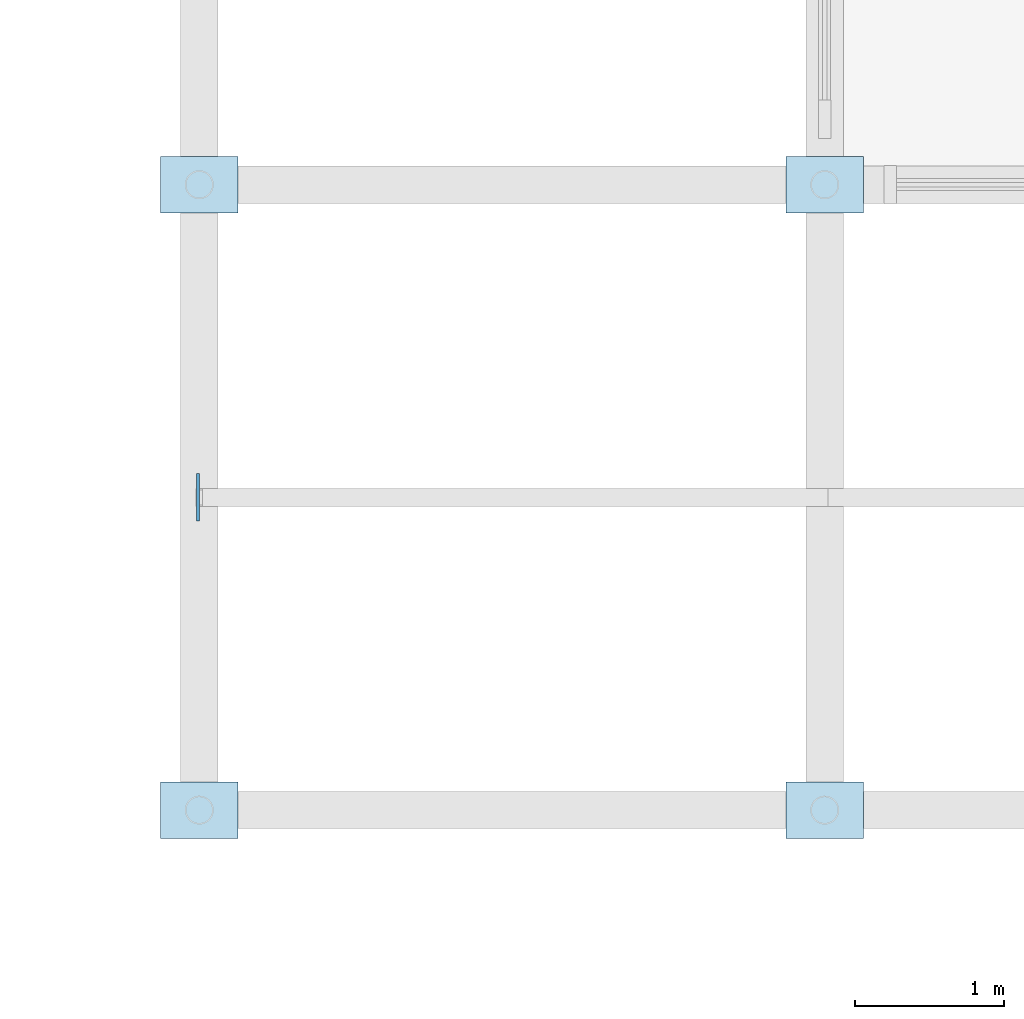
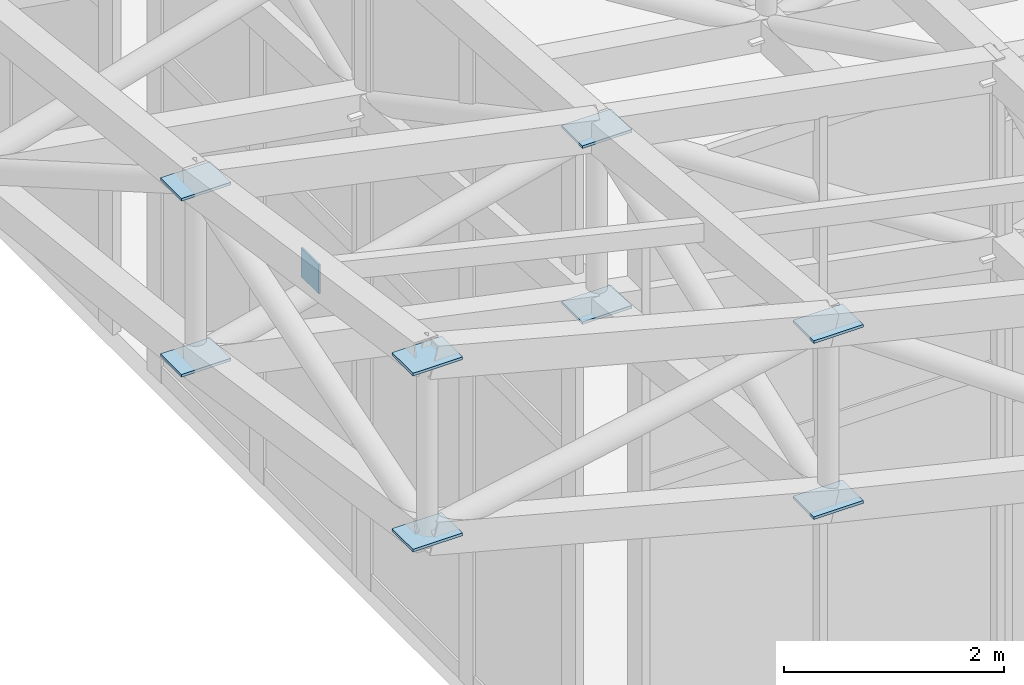
# One storey, part 75 of 111: 9 plates.
"""IFC4 building model written with IfcOpenShell, lengths in metres."""

from ifc_helpers import new_model, si_unit, direction, frame, origin, origin_2d, place, context, subcontext, project, spatial, rectangle, extrude, material, layer, layer_set, type_object, element, save


model = new_model("IFC4")

# Units and contexts
model_context = context("Model", 3, precision=1e-05, world=origin(), true_north=direction((0.0, 1.0)))
body_context = subcontext(model_context, "Body", "Model", "MODEL_VIEW")
ifc_project = project(units=[si_unit("LENGTHUNIT", "METRE"), si_unit("AREAUNIT", "SQUARE_METRE"), si_unit("VOLUMEUNIT", "CUBIC_METRE"), si_unit("PLANEANGLEUNIT", "RADIAN"), si_unit("MASSUNIT", "GRAM", prefix="KILO")], contexts=[model_context])

# Site, building, storey
site_placement = place(None, origin())
site = spatial("IfcSite", under=ifc_project, at=site_placement, CompositionType="ELEMENT")
building_placement = place(site_placement, origin())
building = spatial("IfcBuilding", under=site, at=building_placement, Name="Cumbredor Promenade Congress Hotel", CompositionType="ELEMENT")
storey_placement = place(building_placement, frame((0.0, 0.0, 15.1201171875)))
storey = spatial("IfcBuildingStorey", under=building, at=storey_placement, Name="L04", CompositionType="ELEMENT", Elevation=15.1201171875)

# Plates
ifc_material = material(Name="Steel ASTM A572 Grade 50", Category="steel")
ifc_layer_1 = layer(ifc_material, 0.030029296875, Name="Steel ASTM A572 Grade 50", Category="steel")
ifc_layer_set_1 = layer_set([ifc_layer_1], Name="Steel ASTM A572 Grade 50")
plate_type_1 = type_object("IfcPlateType", Name="Forum Truss Node Assembly ND-04", PredefinedType="USERDEFINED", material=ifc_layer_set_1)
for number, where, z_axis, x_axis, name in (
    (1, (88.199951171875, 79.800048828125, 9.0224609375), (0.0, 0.0, 1.0), (1.0, 0.0, 0.0), "Pre-Function and Breakout Meeting Forum Space Frame Top Node 1.1"),
    (2, (88.199951171875, 79.800048828125, 7.072265625), (0.0, 0.0, 1.0), (1.0, 0.0, 0.0), "Pre-Function and Breakout Meeting Forum Space Frame Bottom Node 1.1"),
    (3, (88.199951171875, 84.0, 8.41162109375), (0.0, 0.0, 1.0), (1.0, 0.0, 0.0), "Pre-Function and Breakout Meeting Forum Space Frame Top Node 1.2"),
    (4, (88.199951171875, 84.0, 6.4619140625), (0.0, 0.0, 1.0), (1.0, 0.0, 0.0), "Pre-Function and Breakout Meeting Forum Space Frame Bottom Node 1.2"),
    (5, (92.39990234375, 79.800048828125, 7.91162109375), (0.0, 0.0, 1.0), (1.0, 0.0, 0.0), "Pre-Function and Breakout Meeting Forum Space Frame Top Node 2.1"),
    (6, (92.39990234375, 79.800048828125, 5.96142578125), (0.0, 0.0, 1.0), (1.0, 0.0, 0.0), "Pre-Function and Breakout Meeting Forum Space Frame Bottom Node 2.1"),
    (7, (92.39990234375, 84.0, 7.5244140625), (0.0, 0.0, 1.0), (1.0, 0.0, 0.0), "Pre-Function and Breakout Meeting Forum Space Frame Top Node 2.2"),
    (8, (92.39990234375, 84.0, 5.57470703125), (0.0, 0.0, 1.0), (1.0, 0.0, 0.0), "Pre-Function and Breakout Meeting Forum Space Frame Bottom Node 2.2"),
):
    element("IfcPlate", number, at=place(storey_placement, frame(where, z_axis=z_axis, x_axis=x_axis)), inside=storey, type_object=plate_type_1, Name=name, ObjectType="GUSSET PLATE", PredefinedType="USERDEFINED", context=body_context, shape_type="SweptSolid", body=[
        extrude(rectangle(XDim=0.52001953125, YDim=0.3798828125, at=origin_2d()), origin(), (0.0, 0.0, 1.0), 0.030029296875),
    ])
ifc_layer_2 = layer(ifc_material, 0.02001953125, Name="Steel ASTM A572 Grade 50", Category="steel")
ifc_layer_set_2 = layer_set([ifc_layer_2], Name="Steel ASTM A572 Grade 50")
plate_type_2 = type_object("IfcPlateType", Name="Hollow Section End Cap Plate CP-05", PredefinedType="USERDEFINED", material=ifc_layer_set_2)
plate_placement = place(storey_placement, frame((88.192138671875, 81.89990234375, 8.5537109375), z_axis=(0.0, 0.0, 1.0), x_axis=(1.0, 0.0, 0.0)))
element("IfcPlate", 9, at=plate_placement, inside=storey, type_object=plate_type_2, Name="Pre-Function and Breakout Meeting Forum Roof Eave Purlin 1.1 Start Cap Plate", ObjectType="CAP PLATE", PredefinedType="USERDEFINED", context=body_context, shape_type="SweptSolid", body=[
    extrude(rectangle(XDim=0.02001953125, YDim=0.320068359375, at=origin_2d()), origin(), (0.0, 0.0, 1.0), 0.320068359375),
])

save(model, "model.ifc")
